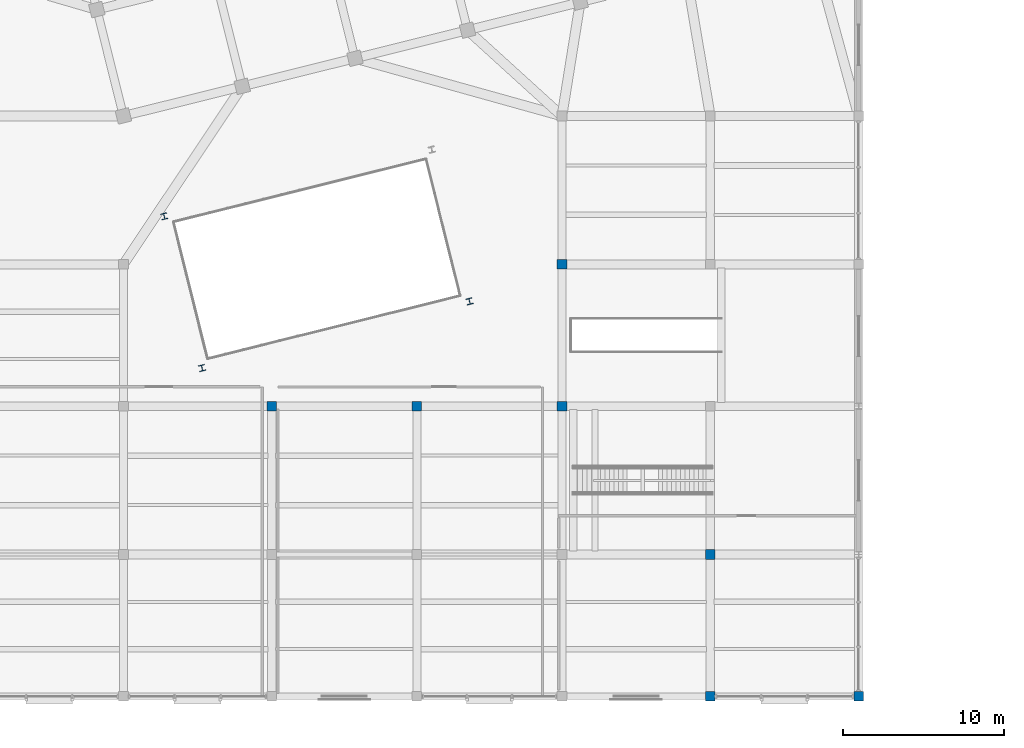
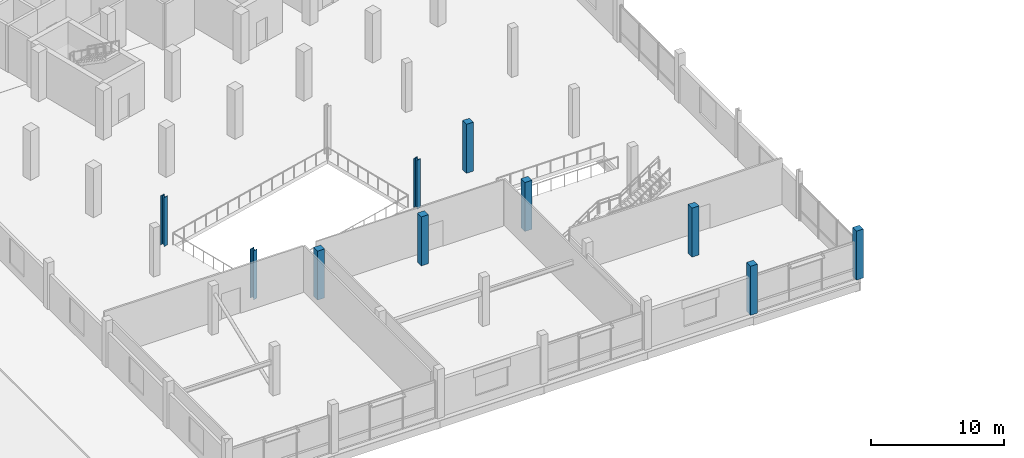
# One storey, part 5 of 77: 10 columns.
"""IFC4 building model written with IfcOpenShell, lengths in metres."""

from ifc_helpers import new_model, si_unit, direction, frame, origin, origin_2d, place, context, subcontext, project, spatial, rectangle, i_section, extrude, material, material_profile, profile_set, type_object, element, save


model = new_model("IFC4")

# Units and contexts
model_context = context("Model", 3, precision=1e-05, world=origin(), true_north=direction((0.0, 1.0)))
body_context = subcontext(model_context, "Body", "Model", "MODEL_VIEW")
ifc_project = project(units=[si_unit("LENGTHUNIT", "METRE"), si_unit("AREAUNIT", "SQUARE_METRE"), si_unit("VOLUMEUNIT", "CUBIC_METRE"), si_unit("PLANEANGLEUNIT", "RADIAN"), si_unit("MASSUNIT", "GRAM", prefix="KILO")], contexts=[model_context])

# Site, building, storey
site_placement = place(None, origin())
site = spatial("IfcSite", under=ifc_project, at=site_placement, CompositionType="ELEMENT")
building_placement = place(site_placement, origin())
building = spatial("IfcBuilding", under=site, at=building_placement, Name="Meriwether Solvik Hall", CompositionType="ELEMENT")
storey_placement = place(building_placement, frame((0.0, 0.0, 9.89990234375)))
storey = spatial("IfcBuildingStorey", under=building, at=storey_placement, Name="L02", CompositionType="ELEMENT", Elevation=9.89990234375)

# Columns
ifc_material_1 = material(Name="Concrete C40/50", Category="concrete")
ifc_material_profile_1 = material_profile(ifc_material_1, rectangle(XDim=0.60009765625, YDim=0.60009765625, at=origin_2d()), Name="RCC-600X600")
ifc_profile_set_1 = profile_set([ifc_material_profile_1], Name="Concrete C40/50")
column_type_1 = type_object("IfcColumnType", Name="COL-RC-600", PredefinedType="COLUMN", material=ifc_profile_set_1)
for number, where, z_axis, x_axis, name in (
    (1, (77.800048828125, 23.199951171875, 0.0), (0.0, 0.0, 1.0), (1.0, 0.0, 0.0), "Podium Column 9/C (L02)"),
    (2, (86.800048828125, 23.199951171875, 0.0), (0.0, 0.0, 1.0), (1.0, 0.0, 0.0), "Podium Column 10/C (L02)"),
    (3, (95.800048828125, 23.199951171875, 0.0), (0.0, 0.0, 1.0), (1.0, 0.0, 0.0), "Podium Column 11/C (L02)"),
    (4, (95.800048828125, 32.0, 0.0), (0.0, 0.0, 1.0), (1.0, 0.0, 0.0), "Podium Column 11/D (L02)"),
    (5, (105.0, 5.199951171875, 0.0), (0.0, 0.0, 1.0), (1.0, 0.0, 0.0), "Podium Column 12/A (L02)"),
    (6, (105.0, 14.0, 0.0), (0.0, 0.0, 1.0), (1.0, 0.0, 0.0), "Podium Column 12/B (L02)"),
    (7, (114.199951171875, 5.199951171875, 0.0), (0.0, 0.0, 1.0), (1.0, 0.0, 0.0), "Podium Column 13/A (L02)"),
):
    element("IfcColumn", number, at=place(storey_placement, frame(where, z_axis=z_axis, x_axis=x_axis)), inside=storey, type_object=column_type_1, Name=name, PredefinedType="COLUMN", context=body_context, shape_type="SweptSolid", body=[
        extrude(rectangle(XDim=0.60009765625, YDim=0.60009765625, at=origin_2d()), origin(), (0.0, 0.0, 1.0), 4.5),
    ])
ifc_material_2 = material(Name="Steel A992 Grade 50", Category="steel")
ifc_material_profile_2 = material_profile(ifc_material_2, i_section(OverallWidth=0.3740234375, OverallDepth=0.3720703125, WebThickness=0.016357421875, FlangeThickness=0.026123046875, at=origin_2d()), Name="W14X132")
ifc_profile_set_2 = profile_set([ifc_material_profile_2], Name="Steel A992 Grade 50")
column_type_2 = type_object("IfcColumnType", Name="COL-STL-W14X132", PredefinedType="COLUMN", material=ifc_profile_set_2)
for number, where, z_axis, x_axis, name in (
    (8, (73.477294921875, 25.5654296875, 0.0), (0.0, 0.0, 1.0), (0.970295726276, 0.2419218956, 0.0), "Atrium Cleft Corner Column SW (L02)"),
    (9, (90.0693359375, 29.702392578125, 0.0), (0.0, 0.0, 1.0), (0.970295726276, 0.2419218956, 0.0), "Atrium Cleft Corner Column SE (L02)"),
    (10, (71.130615234375, 34.977294921875, 0.0), (0.0, 0.0, 1.0), (0.970295726276, 0.2419218956, 0.0), "Atrium Cleft Corner Column NW (L02)"),
):
    element("IfcColumn", number, at=place(storey_placement, frame(where, z_axis=z_axis, x_axis=x_axis)), inside=storey, type_object=column_type_2, Name=name, PredefinedType="COLUMN", context=body_context, shape_type="SweptSolid", body=[
        extrude(i_section(OverallWidth=0.3740234375, OverallDepth=0.3720703125, WebThickness=0.016357421875, FlangeThickness=0.026123046875, at=origin_2d()), origin(), (0.0, 0.0, 1.0), 4.5),
    ])

save(model, "model.ifc")
